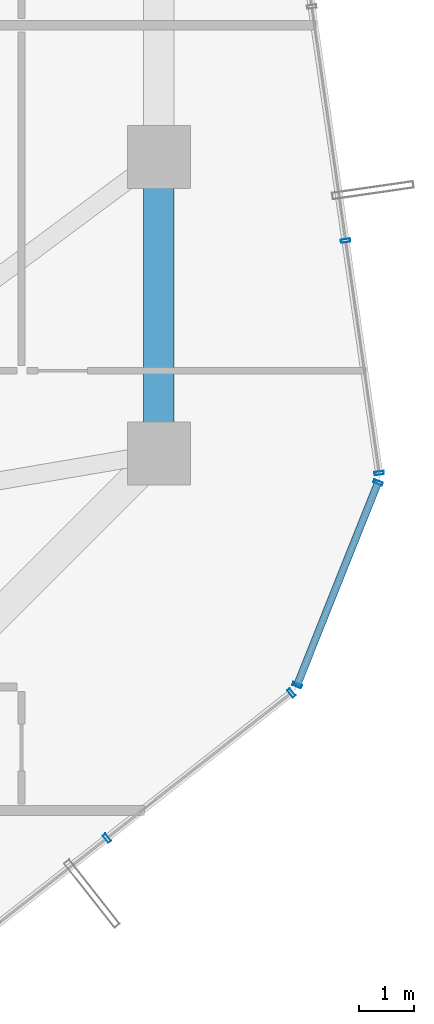
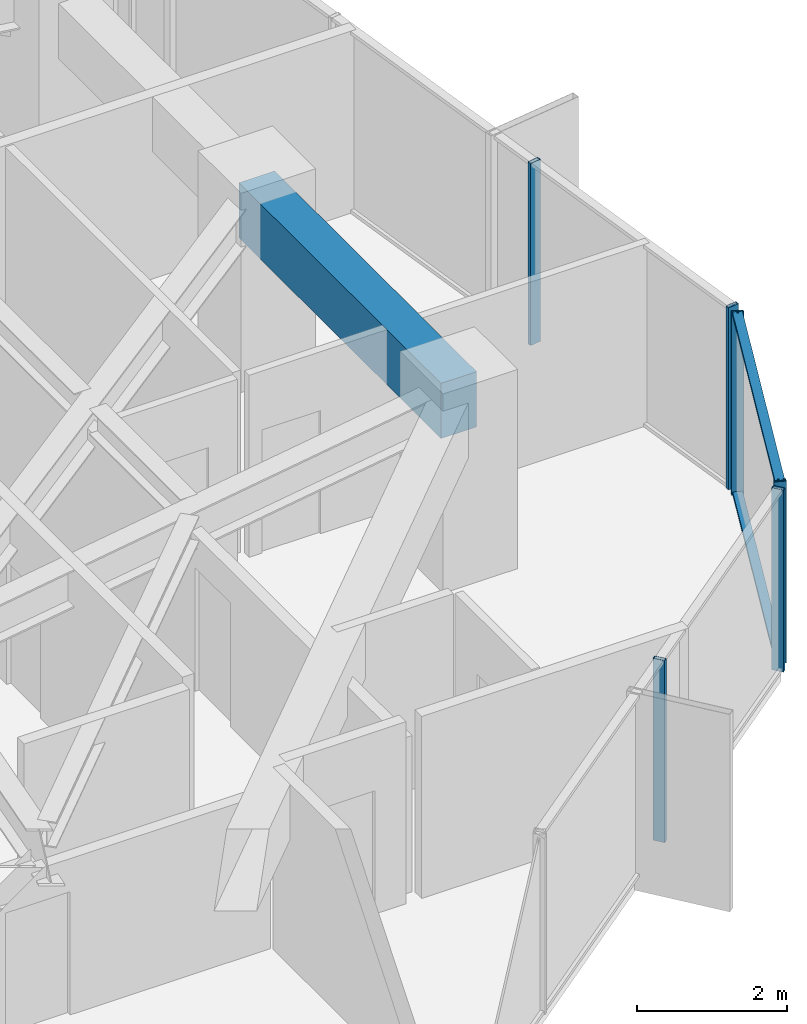
# One storey, part 16 of 34: 8 members, 1 beam, 3 elements without a shape of their own.
"""IFC4 building model written with IfcOpenShell, lengths in metres."""

from ifc_helpers import new_model, si_unit, direction, frame, origin, origin_2d, place, context, subcontext, project, spatial, rectangle, hollow_rectangle, extrude, source, transform, mapped, material, layer, layer_set, material_profile, profile_set, type_object, element, aggregate, save


model = new_model("IFC4")

# Units and contexts
model_context = context("Model", 3, precision=1e-05, world=origin(), true_north=direction((0.0, 1.0)))
body_context = subcontext(model_context, "Body", "Model", "MODEL_VIEW")
ifc_project = project(units=[si_unit("LENGTHUNIT", "METRE"), si_unit("AREAUNIT", "SQUARE_METRE"), si_unit("VOLUMEUNIT", "CUBIC_METRE"), si_unit("PLANEANGLEUNIT", "RADIAN"), si_unit("MASSUNIT", "GRAM", prefix="KILO")], contexts=[model_context])

# Site, building, storey
site_placement = place(None, origin())
site = spatial("IfcSite", under=ifc_project, at=site_placement, CompositionType="ELEMENT")
building_placement = place(site_placement, origin())
building = spatial("IfcBuilding", under=site, at=building_placement, Name="Veraguas Prism Commons", CompositionType="ELEMENT")
storey_placement = place(building_placement, frame((0.0, 0.0, 155.5)))
storey = spatial("IfcBuildingStorey", under=building, at=storey_placement, Name="L44", CompositionType="ELEMENT", Elevation=155.5)

# Beam
ifc_material_1 = material(Name="Concrete C50/60", Category="concrete")
ifc_material_profile_1 = material_profile(ifc_material_1, rectangle(XDim=0.550048828125, YDim=0.89990234375, at=origin_2d()), Name="RC550X900")
ifc_profile_set_1 = profile_set([ifc_material_profile_1], Name="Concrete C50/60")
beam_type = type_object("IfcBeamType", Name="Perimeter Spandrel Lower RC 550x900", PredefinedType="SPANDREL", material=ifc_profile_set_1)
beam_placement = place(storey_placement, frame((40.199951171875, 18.60009765625, 2.52001953125), z_axis=(0.0, 1.0, 0.0), x_axis=(-1.0, 0.0, 0.0)))
element("IfcBeam", 1, at=beam_placement, inside=storey, type_object=beam_type, Name="Perimeter Spandrel Beam L44-SP01", PredefinedType="SPANDREL", context=body_context, shape_type="SweptSolid", body=[
    extrude(rectangle(XDim=0.550048828125, YDim=0.89990234375, at=origin_2d()), origin(), (0.0, 0.0, 1.0), 5.39990234375),
])

# Curtain wall, members
ifc_material_2 = material(Name="Anodised aluminium EN AW-6063 T6", Category="aluminium")
ifc_layer = layer(ifc_material_2, 0.169921875, Name="Unitised Flush Curtain Wall Zone 2", Category="aluminium")
ifc_layer_set = layer_set([ifc_layer], Name="Anodised aluminium EN AW-6063 T6")
curtain_wall_type = type_object("IfcCurtainWallType", Name="Unitised Flush Curtain Wall Zone 2", PredefinedType="NOTDEFINED", material=ifc_layer_set)
curtain_wall_1_placement = place(storey_placement, origin())
curtain_wall_1 = element("IfcCurtainWall", 2, at=curtain_wall_1_placement, inside=storey, type_object=curtain_wall_type, Name="Tower Facade Curtain Wall L44-F5", PredefinedType="NOTDEFINED")
ifc_material_profile_2 = material_profile(ifc_material_2, hollow_rectangle(XDim=0.06005859375, YDim=0.169921875, WallThickness=0.00390625, at=origin_2d()), Name="AL60X170X4")
ifc_profile_set_2 = profile_set([ifc_material_profile_2], Name="Anodised aluminium EN AW-6063 T6")
member_type_1 = type_object("IfcMemberType", Name="Curtain Wall Mullion Lower AL 60x170x4", PredefinedType="MULLION", material=ifc_profile_set_2)
shared_shape_1 = source(origin(), body_context, "Body", "SweptSolid", [
    extrude(hollow_rectangle(XDim=0.06005859375, YDim=0.169921875, WallThickness=0.00390625, at=origin_2d()), origin(), (0.0, 0.0, 1.0), 2.969970703125),
])
member_1_placement = place(storey_placement, frame((39.2529296875, 11.59521484375, 0.0), z_axis=(0.0, 0.0, 1.0), x_axis=(0.785639900244, 0.618684044682, 0.0)))
member_1 = element("IfcMember", 3, at=member_1_placement, type_object=member_type_1, Name="CW-Z2 Mullion 4", PredefinedType="MULLION", context=body_context, shape_type="MappedRepresentation", body=[
    mapped(shared_shape_1, transform((0.0, 0.0, 0.0), scale=1.0)),
])
member_2_placement = place(storey_placement, frame((42.6142578125, 14.2421875, 0.0), z_axis=(0.0, 0.0, 1.0), x_axis=(0.785639900244, 0.618684044682, 0.0)))
member_2 = element("IfcMember", 4, at=member_2_placement, type_object=member_type_1, Name="CW-Z2 Mullion 5", PredefinedType="MULLION", context=body_context, shape_type="MappedRepresentation", body=[
    mapped(shared_shape_1, transform((0.0, 0.0, 0.0), scale=1.0)),
])
aggregate(curtain_wall_1, [member_1, member_2])

curtain_wall_2_placement = place(storey_placement, origin())
curtain_wall_2 = element("IfcCurtainWall", 5, at=curtain_wall_2_placement, inside=storey, type_object=curtain_wall_type, Name="Tower Facade Curtain Wall L44-F6", PredefinedType="NOTDEFINED")
member_3_placement = place(storey_placement, frame((44.213134765625, 18.24365234375, 0.0), z_axis=(0.0, 0.0, 1.0), x_axis=(-0.142970967293, 0.989726882787, 0.0)))
member_3 = element("IfcMember", 6, at=member_3_placement, type_object=member_type_1, Name="CW-Z2 Mullion 1", PredefinedType="MULLION", context=body_context, shape_type="MappedRepresentation", body=[
    mapped(shared_shape_1, transform((0.0, 0.0, 0.0), scale=1.0)),
])
member_4_placement = place(storey_placement, frame((43.601318359375, 22.478271484375, 0.0), z_axis=(0.0, 0.0, 1.0), x_axis=(-0.142970967293, 0.989726882787, 0.0)))
member_4 = element("IfcMember", 7, at=member_4_placement, type_object=member_type_1, Name="CW-Z2 Mullion 2", PredefinedType="MULLION", context=body_context, shape_type="MappedRepresentation", body=[
    mapped(shared_shape_1, transform((0.0, 0.0, 0.0), scale=1.0)),
])
aggregate(curtain_wall_2, [member_3, member_4])

curtain_wall_3_placement = place(storey_placement, origin())
curtain_wall_3 = element("IfcCurtainWall", 8, at=curtain_wall_3_placement, inside=storey, type_object=curtain_wall_type, Name="Chamfer Curtain Wall L44-C6", PredefinedType="NOTDEFINED")
member_5_placement = place(storey_placement, frame((42.718505859375, 14.38134765625, 0.0), z_axis=(0.0, 0.0, 1.0), x_axis=(0.371022640526, 0.928623820617, 0.0)))
member_5 = element("IfcMember", 9, at=member_5_placement, type_object=member_type_1, Name="CW-Z2 Mullion 1", PredefinedType="MULLION", context=body_context, shape_type="MappedRepresentation", body=[
    mapped(shared_shape_1, transform((0.0, 0.0, 0.0), scale=1.0)),
])
member_6_placement = place(storey_placement, frame((44.192626953125, 18.071044921875, 0.0), z_axis=(0.0, 0.0, 1.0), x_axis=(0.371022640526, 0.928623820617, 0.0)))
member_6 = element("IfcMember", 10, at=member_6_placement, type_object=member_type_1, Name="CW-Z2 Mullion 2", PredefinedType="MULLION", context=body_context, shape_type="MappedRepresentation", body=[
    mapped(shared_shape_1, transform((0.0, 0.0, 0.0), scale=1.0)),
])
ifc_material_profile_3 = material_profile(ifc_material_2, hollow_rectangle(XDim=0.054931640625, YDim=0.135009765625, WallThickness=0.0029296875, at=origin_2d()), Name="AL55X135X3")
ifc_profile_set_3 = profile_set([ifc_material_profile_3], Name="Anodised aluminium EN AW-6063 T6")
member_type_2 = type_object("IfcMemberType", Name="Curtain Wall Transom Standard AL 55x135x3", PredefinedType="USERDEFINED", material=ifc_profile_set_3)
shared_shape_2 = source(origin(), body_context, "Body", "SweptSolid", [
    extrude(hollow_rectangle(XDim=0.054931640625, YDim=0.135009765625, WallThickness=0.0029296875, at=origin_2d()), origin(), (0.0, 0.0, 1.0), 3.973388671875),
])
member_7_placement = place(storey_placement, frame((42.718505859375, 14.38134765625, 0.027587890625), z_axis=(0.371009257794, 0.928629167446, 0.0), x_axis=(0.0, 0.0, 1.0)))
member_7 = element("IfcMember", 11, at=member_7_placement, type_object=member_type_2, Name="CW-Z2 Transom 1", ObjectType="TRANSOM", PredefinedType="USERDEFINED", context=body_context, shape_type="MappedRepresentation", body=[
    mapped(shared_shape_2, transform((0.0, 0.0, 0.0), scale=1.0)),
])
member_8_placement = place(storey_placement, frame((42.718505859375, 14.38134765625, 2.9423828125), z_axis=(0.371009257794, 0.928629167446, 0.0), x_axis=(0.0, 0.0, 1.0)))
member_8 = element("IfcMember", 12, at=member_8_placement, type_object=member_type_2, Name="CW-Z2 Transom 2", ObjectType="TRANSOM", PredefinedType="USERDEFINED", context=body_context, shape_type="MappedRepresentation", body=[
    mapped(shared_shape_2, transform((0.0, 0.0, 0.0), scale=1.0)),
])
aggregate(curtain_wall_3, [member_5, member_6, member_7, member_8])

save(model, "model.ifc")
